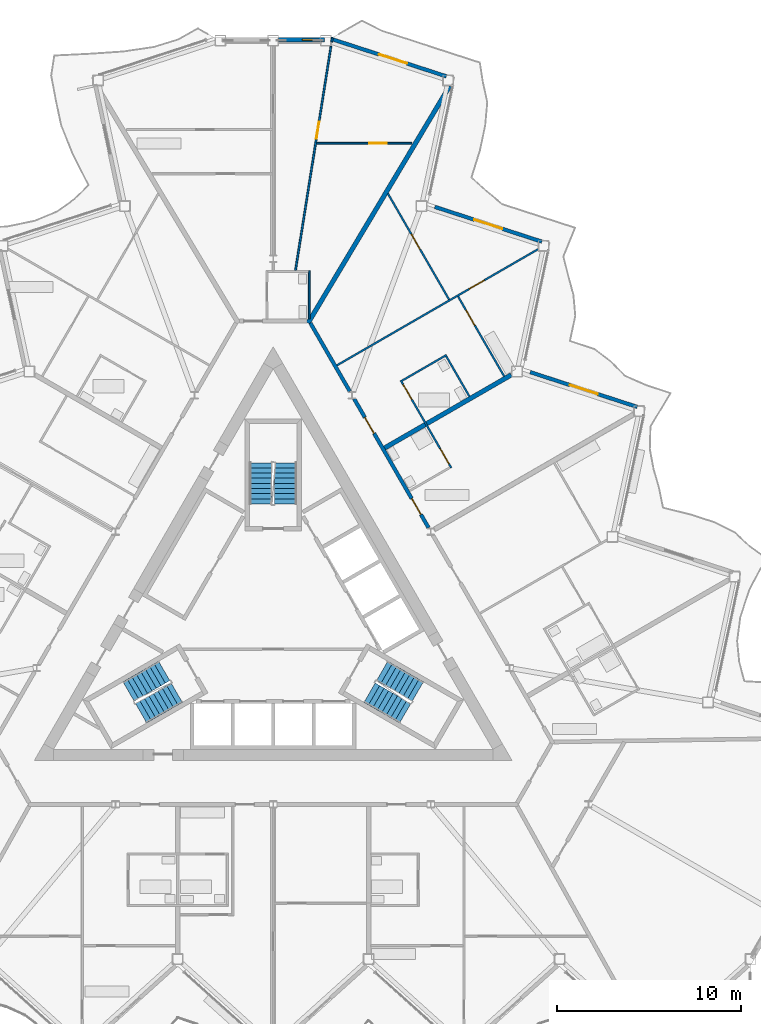
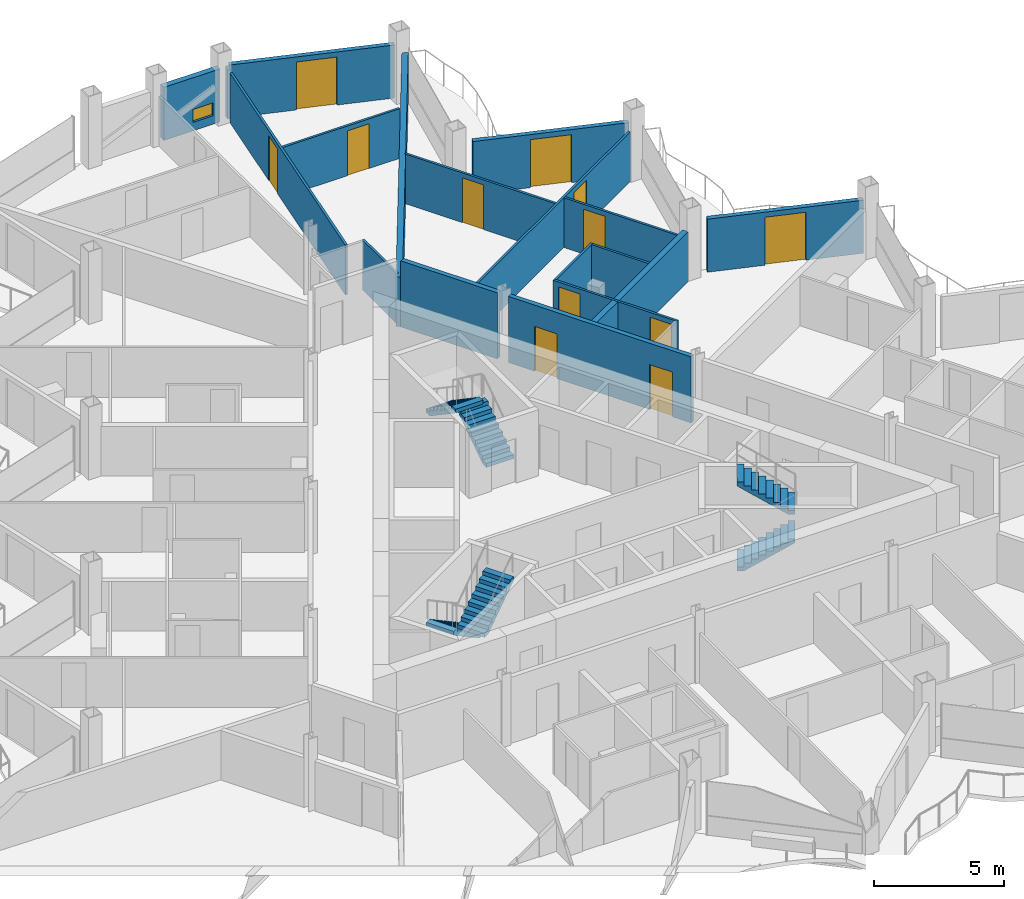
# One storey, part 18 of 26: 18 walls, 12 doors, 6 stair flights, 1 window, 13 openings, 3 elements without a shape of their own.
"""IFC4 building model written with IfcOpenShell, lengths in metres."""

from ifc_helpers import new_model, si_unit, direction, frame, frame_2d, origin, place, context, subcontext, project, spatial, polyline, rectangle, outline, extrude, material, layer, layer_set, type_object, element, fill, aggregate, save


model = new_model("IFC4")

# Units and contexts
model_context = context("Model", 3, precision=1e-05, world=origin(), true_north=direction((0.0, 1.0)))
body_context = subcontext(model_context, "Body", "Model", "MODEL_VIEW")
ifc_project = project(units=[si_unit("LENGTHUNIT", "METRE"), si_unit("AREAUNIT", "SQUARE_METRE"), si_unit("VOLUMEUNIT", "CUBIC_METRE"), si_unit("PLANEANGLEUNIT", "RADIAN"), si_unit("MASSUNIT", "GRAM", prefix="KILO")], contexts=[model_context])

# Site, building, storey
site_placement = place(None, origin())
site = spatial("IfcSite", under=ifc_project, at=site_placement, CompositionType="ELEMENT")
building_placement = place(site_placement, origin())
building = spatial("IfcBuilding", under=site, at=building_placement, Name="Cormorant Prow Tower", CompositionType="ELEMENT")
storey_placement = place(building_placement, frame((0.0, 0.0, 329.0)))
storey = spatial("IfcBuildingStorey", under=building, at=storey_placement, Name="L73", CompositionType="ELEMENT", Elevation=329.0)

# Wall, openings, doors
ifc_material_1 = material(Name="Gypsum board corridor wall")
ifc_layer_1 = layer(ifc_material_1, 0.199951171875)
ifc_layer_set_1 = layer_set([ifc_layer_1], Name="Gypsum board corridor wall")
wall_type_1 = type_object("IfcWallType", Name="Corridor wall 200", PredefinedType="PARTITIONING", material=ifc_layer_set_1)
wall_1_placement = place(storey_placement, frame((4.4091796875, 12.17431640625, 0.0), z_axis=(0.0, 0.0, 1.0), x_axis=(0.499984266882, -0.866034487114, 0.0)))
wall_1 = element("IfcWall", 1, at=wall_1_placement, inside=storey, type_object=wall_type_1, Name="Corridor wall", PredefinedType="PARTITIONING", context=body_context, shape_type="SweptSolid", body=[
    extrude(rectangle(XDim=8.098876953125, YDim=0.199951171875, at=frame_2d((4.04931640625, 0.0))), origin(), (0.0, 0.0, 1.0), 3.10009765625),
])
opening_1_placement = place(wall_1_placement, frame((6.268798828125, 0.0, 0.0)))
opening_1 = element("IfcOpeningElement", 2, at=opening_1_placement, cuts=wall_1, Name="Opening L73-F25", PredefinedType="OPENING", context=body_context, shape_type="SweptSolid", body=[
    extrude(rectangle(XDim=1.0, YDim=2.10009765625, at=frame_2d((0.5, 1.050048828125))), frame((0.0, 0.10986328125, 0.0), z_axis=(0.0, -1.0, 0.0), x_axis=(1.0, 0.0, 0.0)), (0.0, 0.0, 1.0), 0.219970703125),
])
opening_2_placement = place(wall_1_placement, frame((1.16357421875, 0.0, 0.0)))
opening_2 = element("IfcOpeningElement", 3, at=opening_2_placement, cuts=wall_1, Name="Opening L73-F27", PredefinedType="OPENING", context=body_context, shape_type="SweptSolid", body=[
    extrude(rectangle(XDim=1.0, YDim=2.10009765625, at=frame_2d((0.5, 1.050048828125))), frame((0.0, 0.10986328125, 0.0), z_axis=(0.0, -1.0, 0.0), x_axis=(1.0, 0.0, 0.0)), (0.0, 0.0, 1.0), 0.219970703125),
])
ifc_material_2 = material(Name="Timber door leaf", Category="wood")
door_type_1 = type_object("IfcDoorType", Name="Flat or room entrance door 1000x2100", OperationType="NOTDEFINED", PredefinedType="DOOR", material=ifc_material_2)
door_1_placement = place(opening_1_placement, origin())
door_1 = element("IfcDoor", 4, at=door_1_placement, inside=storey, type_object=door_type_1, Name="Studio living, kitchen and sleeping room door", OperationType="SINGLE_SWING_LEFT", OverallHeight=2.10009765625, OverallWidth=1.0, PredefinedType="DOOR", context=body_context, shape_type="SweptSolid", body=[
    extrude(rectangle(XDim=1.0, YDim=2.10009765625, at=frame_2d((0.5, 1.050048828125))), frame((0.0, 0.02490234375, 0.0), z_axis=(0.0, -1.0, 0.0), x_axis=(1.0, 0.0, 0.0)), (0.0, 0.0, 1.0), 0.050048828125),
])
fill(opening_1, door_1)
door_2_placement = place(opening_2_placement, origin())
door_2 = element("IfcDoor", 5, at=door_2_placement, inside=storey, type_object=door_type_1, Name="Living room door", OperationType="SINGLE_SWING_RIGHT", OverallHeight=2.10009765625, OverallWidth=1.0, PredefinedType="DOOR", context=body_context, shape_type="SweptSolid", body=[
    extrude(rectangle(XDim=1.0, YDim=2.10009765625, at=frame_2d((0.5, 1.050048828125))), frame((0.0, 0.02490234375, 0.0), z_axis=(0.0, -1.0, 0.0), x_axis=(1.0, 0.0, 0.0)), (0.0, 0.0, 1.0), 0.050048828125),
])
fill(opening_2, door_2)

# Wall
wall_2_placement = place(storey_placement, frame((2.025390625, 16.302978515625, 0.0), z_axis=(0.0, 0.0, 1.0), x_axis=(0.499978750566, -0.866037671803, 0.0)))
element("IfcWall", 6, at=wall_2_placement, inside=storey, type_object=wall_type_1, Name="Corridor wall", PredefinedType="PARTITIONING", context=body_context, shape_type="SweptSolid", body=[
    extrude(rectangle(XDim=4.287841796875, YDim=0.199951171875, at=frame_2d((2.14404296875, 0.0))), origin(), (0.0, 0.0, 1.0), 3.10009765625),
])

# Wall, opening, door
ifc_material_3 = material(Name="Gypsum board partition")
ifc_layer_2 = layer(ifc_material_3, 0.10009765625)
ifc_layer_set_2 = layer_set([ifc_layer_2], Name="Gypsum board partition")
wall_type_2 = type_object("IfcWallType", Name="Internal partition 100", PredefinedType="PARTITIONING", material=ifc_layer_set_2)
wall_3_placement = place(storey_placement, frame((3.470458984375, 14.000244140625, 0.0), z_axis=(0.0, 0.0, 1.0), x_axis=(0.866021216079, 0.500007253249, 0.0)))
wall_3 = element("IfcWall", 7, at=wall_3_placement, inside=storey, type_object=wall_type_2, Name="Internal partition", PredefinedType="PARTITIONING", context=body_context, shape_type="SweptSolid", body=[
    extrude(rectangle(XDim=12.639404296875, YDim=0.10009765625, at=frame_2d((6.31982421875, 0.0))), origin(), (0.0, 0.0, 1.0), 2.330078125),
])
opening_3_placement = place(wall_3_placement, frame((8.314453125, 0.0, 0.0)))
opening_3 = element("IfcOpeningElement", 8, at=opening_3_placement, cuts=wall_3, Name="Opening L73-F30", PredefinedType="OPENING", context=body_context, shape_type="SweptSolid", body=[
    extrude(rectangle(XDim=0.949951171875, YDim=2.10009765625, at=frame_2d((0.47509765625, 1.050048828125))), frame((0.0, 0.06005859375, 0.0), z_axis=(0.0, -1.0, 0.0), x_axis=(1.0, 0.0, 0.0)), (0.0, 0.0, 1.0), 0.1201171875),
])
ifc_material_4 = material(Name="Timber door leaf", Category="wood")
door_type_2 = type_object("IfcDoorType", Name="Bathroom door 950x2100", OperationType="NOTDEFINED", PredefinedType="DOOR", material=ifc_material_4)
door_3_placement = place(opening_3_placement, origin())
door_3 = element("IfcDoor", 9, at=door_3_placement, inside=storey, type_object=door_type_2, Name="Kitchen door", OperationType="SINGLE_SWING_LEFT", OverallHeight=2.10009765625, OverallWidth=0.949951171875, PredefinedType="DOOR", context=body_context, shape_type="SweptSolid", body=[
    extrude(rectangle(XDim=0.949951171875, YDim=2.10009765625, at=frame_2d((0.47509765625, 1.050048828125))), frame((0.0, 0.02490234375, 0.0), z_axis=(0.0, -1.0, 0.0), x_axis=(1.0, 0.0, 0.0)), (0.0, 0.0, 1.0), 0.050048828125),
])
fill(opening_3, door_3)

wall_4_placement = place(storey_placement, frame((1.21337890625, 19.160400390625, 0.0), z_axis=(0.0, 0.0, 1.0), x_axis=(0.156426176129, 0.987689653394, 0.0)))
wall_4 = element("IfcWall", 10, at=wall_4_placement, inside=storey, type_object=wall_type_2, Name="Internal partition", PredefinedType="PARTITIONING", context=body_context, shape_type="SweptSolid", body=[
    extrude(rectangle(XDim=12.35791015625, YDim=0.10009765625, at=frame_2d((6.178955078125, 0.0))), origin(), (0.0, 0.0, 1.0), 2.330078125),
])
opening_4_placement = place(wall_4_placement, frame((7.2548828125, 0.0, 0.0)))
opening_4 = element("IfcOpeningElement", 11, at=opening_4_placement, cuts=wall_4, Name="Opening L73-F37", PredefinedType="OPENING", context=body_context, shape_type="SweptSolid", body=[
    extrude(rectangle(XDim=0.949951171875, YDim=2.10009765625, at=frame_2d((0.47509765625, 1.050048828125))), frame((0.0, 0.06005859375, 0.0), z_axis=(0.0, -1.0, 0.0), x_axis=(1.0, 0.0, 0.0)), (0.0, 0.0, 1.0), 0.1201171875),
])
door_4_placement = place(opening_4_placement, origin())
door_4 = element("IfcDoor", 12, at=door_4_placement, inside=storey, type_object=door_type_2, Name="Bedroom door", OperationType="SINGLE_SWING_LEFT", OverallHeight=2.10009765625, OverallWidth=0.949951171875, PredefinedType="DOOR", context=body_context, shape_type="SweptSolid", body=[
    extrude(rectangle(XDim=0.949951171875, YDim=2.10009765625, at=frame_2d((0.47509765625, 1.050048828125))), frame((0.0, 0.02490234375, 0.0), z_axis=(0.0, -1.0, 0.0), x_axis=(1.0, 0.0, 0.0)), (0.0, 0.0, 1.0), 0.050048828125),
])
fill(opening_4, door_4)

wall_5_placement = place(storey_placement, frame((6.2412109375, 23.357421875, 0.0), z_axis=(0.0, 0.0, 1.0), x_axis=(0.499998189891, -0.866026448849, 0.0)))
wall_5 = element("IfcWall", 13, at=wall_5_placement, inside=storey, type_object=wall_type_2, Name="Internal partition", PredefinedType="PARTITIONING", context=body_context, shape_type="SweptSolid", body=[
    extrude(rectangle(XDim=6.66796875, YDim=0.10009765625, at=frame_2d((3.333984375, 0.0))), origin(), (0.0, 0.0, 1.0), 2.330078125),
])
opening_5_placement = place(wall_5_placement, frame((2.557861328125, 0.0, 0.0)))
opening_5 = element("IfcOpeningElement", 14, at=opening_5_placement, cuts=wall_5, Name="Opening L73-F31", PredefinedType="OPENING", context=body_context, shape_type="SweptSolid", body=[
    extrude(rectangle(XDim=0.949951171875, YDim=2.10009765625, at=frame_2d((0.47509765625, 1.050048828125))), frame((0.0, 0.06005859375, 0.0), z_axis=(0.0, -1.0, 0.0), x_axis=(1.0, 0.0, 0.0)), (0.0, 0.0, 1.0), 0.1201171875),
])
door_5_placement = place(opening_5_placement, origin())
door_5 = element("IfcDoor", 15, at=door_5_placement, inside=storey, type_object=door_type_2, Name="Bedroom door", OperationType="SINGLE_SWING_RIGHT", OverallHeight=2.10009765625, OverallWidth=0.949951171875, PredefinedType="DOOR", context=body_context, shape_type="SweptSolid", body=[
    extrude(rectangle(XDim=0.949951171875, YDim=2.10009765625, at=frame_2d((0.47509765625, 1.050048828125))), frame((0.0, 0.02490234375, 0.0), z_axis=(0.0, -1.0, 0.0), x_axis=(1.0, 0.0, 0.0)), (0.0, 0.0, 1.0), 0.050048828125),
])
fill(opening_5, door_5)

# Wall, openings, doors
wall_6_placement = place(storey_placement, frame((6.9443359375, 13.18310546875, 0.0), z_axis=(0.0, 0.0, 1.0), x_axis=(0.499996545922, -0.866027397988, 0.0)))
wall_6 = element("IfcWall", 16, at=wall_6_placement, inside=storey, type_object=wall_type_2, Name="Internal partition", PredefinedType="PARTITIONING", context=body_context, shape_type="SweptSolid", body=[
    extrude(rectangle(XDim=5.5, YDim=0.10009765625, at=frame_2d((2.75, 0.0))), origin(), (0.0, 0.0, 1.0), 2.330078125),
])
opening_6_placement = place(wall_6_placement, frame((4.300048828125, 0.0, 0.0)))
opening_6 = element("IfcOpeningElement", 17, at=opening_6_placement, cuts=wall_6, Name="Opening L73-F26", PredefinedType="OPENING", context=body_context, shape_type="SweptSolid", body=[
    extrude(rectangle(XDim=0.949951171875, YDim=2.10009765625, at=frame_2d((0.47509765625, 1.050048828125))), frame((0.0, 0.06005859375, 0.0), z_axis=(0.0, -1.0, 0.0), x_axis=(1.0, 0.0, 0.0)), (0.0, 0.0, 1.0), 0.1201171875),
])
opening_7_placement = place(wall_6_placement, frame((0.25, 0.0, 0.0)))
opening_7 = element("IfcOpeningElement", 18, at=opening_7_placement, cuts=wall_6, Name="Opening L73-F28", PredefinedType="OPENING", context=body_context, shape_type="SweptSolid", body=[
    extrude(rectangle(XDim=0.949951171875, YDim=2.10009765625, at=frame_2d((0.47509765625, 1.050048828125))), frame((0.0, 0.06005859375, 0.0), z_axis=(0.0, -1.0, 0.0), x_axis=(1.0, 0.0, 0.0)), (0.0, 0.0, 1.0), 0.1201171875),
])
door_6_placement = place(opening_6_placement, origin())
door_6 = element("IfcDoor", 19, at=door_6_placement, inside=storey, type_object=door_type_2, Name="Studio living, kitchen and sleeping room door", OperationType="SINGLE_SWING_RIGHT", OverallHeight=2.10009765625, OverallWidth=0.949951171875, PredefinedType="DOOR", context=body_context, shape_type="SweptSolid", body=[
    extrude(rectangle(XDim=0.949951171875, YDim=2.10009765625, at=frame_2d((0.47509765625, 1.050048828125))), frame((0.0, 0.02490234375, 0.0), z_axis=(0.0, -1.0, 0.0), x_axis=(1.0, 0.0, 0.0)), (0.0, 0.0, 1.0), 0.050048828125),
])
fill(opening_6, door_6)
door_7_placement = place(opening_7_placement, origin())
door_7 = element("IfcDoor", 20, at=door_7_placement, inside=storey, type_object=door_type_2, Name="Living room door", OperationType="SINGLE_SWING_LEFT", OverallHeight=2.10009765625, OverallWidth=0.949951171875, PredefinedType="DOOR", context=body_context, shape_type="SweptSolid", body=[
    extrude(rectangle(XDim=0.949951171875, YDim=2.10009765625, at=frame_2d((0.47509765625, 1.050048828125))), frame((0.0, 0.02490234375, 0.0), z_axis=(0.0, -1.0, 0.0), x_axis=(1.0, 0.0, 0.0)), (0.0, 0.0, 1.0), 0.050048828125),
])
fill(opening_7, door_7)

# Wall, opening, door
wall_7_placement = place(storey_placement, frame((2.36083984375, 26.090087890625, 0.0), z_axis=(0.0, 0.0, 1.0), x_axis=(1.0, 0.0, 0.0)))
wall_7 = element("IfcWall", 21, at=wall_7_placement, inside=storey, type_object=wall_type_2, Name="Internal partition", PredefinedType="PARTITIONING", context=body_context, shape_type="SweptSolid", body=[
    extrude(rectangle(XDim=5.190185546875, YDim=0.10009765625, at=frame_2d((2.59521484375, 0.0))), origin(), (0.0, 0.0, 1.0), 2.330078125),
])
opening_8_placement = place(wall_7_placement, frame((2.878173828125, 0.0, 0.0)))
opening_8 = element("IfcOpeningElement", 22, at=opening_8_placement, cuts=wall_7, Name="Opening L73-F38", PredefinedType="OPENING", context=body_context, shape_type="SweptSolid", body=[
    extrude(rectangle(XDim=0.949951171875, YDim=2.10009765625, at=frame_2d((0.47509765625, 1.050048828125))), frame((0.0, 0.06005859375, 0.0), z_axis=(0.0, -1.0, 0.0), x_axis=(1.0, 0.0, 0.0)), (0.0, 0.0, 1.0), 0.1201171875),
])
door_8_placement = place(opening_8_placement, origin())
door_8 = element("IfcDoor", 23, at=door_8_placement, inside=storey, type_object=door_type_2, Name="Bedroom door", OperationType="SINGLE_SWING_RIGHT", OverallHeight=2.10009765625, OverallWidth=0.949951171875, PredefinedType="DOOR", context=body_context, shape_type="SweptSolid", body=[
    extrude(rectangle(XDim=0.949951171875, YDim=2.10009765625, at=frame_2d((0.47509765625, 1.050048828125))), frame((0.0, 0.02490234375, 0.0), z_axis=(0.0, -1.0, 0.0), x_axis=(1.0, 0.0, 0.0)), (0.0, 0.0, 1.0), 0.050048828125),
])
fill(opening_8, door_8)

wall_8_placement = place(storey_placement, frame((10.065185546875, 17.75, 0.0), z_axis=(0.0, 0.0, 1.0), x_axis=(0.499989096993, -0.866031698547, 0.0)))
wall_8 = element("IfcWall", 24, at=wall_8_placement, inside=storey, type_object=wall_type_2, Name="Internal partition", PredefinedType="PARTITIONING", context=body_context, shape_type="SweptSolid", body=[
    extrude(rectangle(XDim=5.01953125, YDim=0.10009765625, at=frame_2d((2.509765625, 0.0))), origin(), (0.0, 0.0, 1.0), 2.330078125),
])
opening_9_placement = place(wall_8_placement, frame((0.862060546875, 0.0, 0.0)))
opening_9 = element("IfcOpeningElement", 25, at=opening_9_placement, cuts=wall_8, Name="Opening L73-F29", PredefinedType="OPENING", context=body_context, shape_type="SweptSolid", body=[
    extrude(rectangle(XDim=0.949951171875, YDim=2.10009765625, at=frame_2d((0.47509765625, 1.050048828125))), frame((0.0, 0.06005859375, 0.0), z_axis=(0.0, -1.0, 0.0), x_axis=(1.0, 0.0, 0.0)), (0.0, 0.0, 1.0), 0.1201171875),
])
door_9_placement = place(opening_9_placement, origin())
door_9 = element("IfcDoor", 26, at=door_9_placement, inside=storey, type_object=door_type_2, Name="Living room door", OperationType="SINGLE_SWING_LEFT", OverallHeight=2.10009765625, OverallWidth=0.949951171875, PredefinedType="DOOR", context=body_context, shape_type="SweptSolid", body=[
    extrude(rectangle(XDim=0.949951171875, YDim=2.10009765625, at=frame_2d((0.47509765625, 1.050048828125))), frame((0.0, 0.02490234375, 0.0), z_axis=(0.0, -1.0, 0.0), x_axis=(1.0, 0.0, 0.0)), (0.0, 0.0, 1.0), 0.050048828125),
])
fill(opening_9, door_9)

# Walls
wall_9_placement = place(storey_placement, frame((7.0126953125, 13.164794921875, 0.0), z_axis=(0.0, 0.0, 1.0), x_axis=(0.866034573852, 0.49998411664, 0.0)))
element("IfcWall", 27, at=wall_9_placement, inside=storey, type_object=wall_type_2, Name="Internal partition", PredefinedType="PARTITIONING", context=body_context, shape_type="SweptSolid", body=[
    extrude(rectangle(XDim=2.7998046875, YDim=0.10009765625, at=frame_2d((1.39990234375, 0.0))), origin(), (0.0, 0.0, 1.0), 2.330078125),
])
wall_10_placement = place(storey_placement, frame((1.962890625, 16.5361328125, 0.0), z_axis=(0.0, 0.0, 1.0), x_axis=(0.0, 1.0, 0.0)))
element("IfcWall", 28, at=wall_10_placement, inside=storey, type_object=wall_type_2, Name="Internal partition", PredefinedType="PARTITIONING", context=body_context, shape_type="SweptSolid", body=[
    extrude(rectangle(XDim=2.625, YDim=0.10009765625, at=frame_2d((1.3125, 0.0))), origin(), (0.0, 0.0, 1.0), 2.330078125),
])
wall_11_placement = place(storey_placement, frame((9.419189453125, 14.49658203125, 0.0), z_axis=(0.0, 0.0, 1.0), x_axis=(0.499976333282, -0.866039067339, 0.0)))
element("IfcWall", 29, at=wall_11_placement, inside=storey, type_object=wall_type_2, Name="Internal partition", PredefinedType="PARTITIONING", context=body_context, shape_type="SweptSolid", body=[
    extrude(rectangle(XDim=2.52490234375, YDim=0.10009765625, at=frame_2d((1.262451171875, 0.0))), origin(), (0.0, 0.0, 1.0), 2.330078125),
])
wall_12_placement = place(storey_placement, frame((3.183837890625, 31.601318359375, 0.0), z_axis=(0.0, 0.0, 1.0), x_axis=(0.156307264128, 0.987708478844, 0.0)))
element("IfcWall", 30, at=wall_12_placement, inside=storey, type_object=wall_type_2, Name="Internal partition", PredefinedType="PARTITIONING", context=body_context, shape_type="SweptSolid", body=[
    extrude(rectangle(XDim=0.254638671875, YDim=0.10009765625, at=frame_2d((0.12744140625, 0.0))), origin(), (0.0, 0.0, 1.0), 2.330078125),
])
ifc_material_5 = material(Name="Acoustic gypsum party wall")
ifc_layer_3 = layer(ifc_material_5, 0.25)
ifc_layer_set_3 = layer_set([ifc_layer_3], Name="Acoustic gypsum party wall")
wall_type_3 = type_object("IfcWallType", Name="Suite party wall 250", PredefinedType="PARTITIONING", material=ifc_layer_set_3)
wall_13_placement = place(storey_placement, frame((1.89892578125, 16.3037109375, 0.0), z_axis=(0.0, 0.0, 1.0), x_axis=(0.512977925681, 0.858401798556, 0.0)))
element("IfcWall", 31, at=wall_13_placement, inside=storey, type_object=wall_type_3, Name="Suite party wall", PredefinedType="PARTITIONING", context=body_context, shape_type="SweptSolid", body=[
    extrude(rectangle(XDim=15.0283203125, YDim=0.25, at=frame_2d((7.51416015625, 0.0))), origin(), (0.0, 0.0, 1.0), 2.330078125),
])
wall_14_placement = place(storey_placement, frame((6.067626953125, 9.50146484375, 0.0), z_axis=(0.0, 0.0, 1.0), x_axis=(0.866022671543, 0.50000473235, 0.0)))
element("IfcWall", 32, at=wall_14_placement, inside=storey, type_object=wall_type_3, Name="Suite party wall", PredefinedType="PARTITIONING", context=body_context, shape_type="SweptSolid", body=[
    extrude(rectangle(XDim=7.9609375, YDim=0.25, at=frame_2d((3.98046875, 0.0))), origin(), (0.0, 0.0, 1.0), 2.330078125),
])

# Wall, opening, window
ifc_material_6 = material(Name="Terracotta", Category="masonry")
ifc_layer_4 = layer(ifc_material_6, 0.25)
ifc_layer_set_4 = layer_set([ifc_layer_4], Name="Terracotta")
wall_type_4 = type_object("IfcWallType", Name="Terracotta bay wall 250", PredefinedType="SOLIDWALL", material=ifc_layer_set_4)
wall_15_placement = place(storey_placement, frame((2.78955078125, 31.727783203125, 0.0), z_axis=(0.0, 0.0, 1.0), x_axis=(-1.0, 0.0, 0.0)))
wall_15 = element("IfcWall", 33, at=wall_15_placement, inside=storey, type_object=wall_type_4, Name="Terracotta bay wall N00", PredefinedType="SOLIDWALL", context=body_context, shape_type="SweptSolid", body=[
    extrude(rectangle(XDim=2.489501953125, YDim=0.25, at=frame_2d((1.24462890625, 0.0))), origin(), (0.0, 0.0, 1.0), 2.48779296875),
])
opening_10_placement = place(wall_15_placement, frame((0.300048828125, 0.0, 0.39990234375)))
opening_10 = element("IfcOpeningElement", 34, at=opening_10_placement, cuts=wall_15, Name="Opening WN7", PredefinedType="OPENING", context=body_context, shape_type="SweptSolid", body=[
    extrude(rectangle(XDim=0.89990234375, YDim=0.60009765625, at=frame_2d((0.449951171875, 0.300048828125))), frame((0.0, 0.135009765625, 0.0), z_axis=(0.0, -1.0, 0.0), x_axis=(1.0, 0.0, 0.0)), (0.0, 0.0, 1.0), 0.27001953125),
])
ifc_material_7 = material(Name="Aluminium 6063-T6", Category="aluminium")
window_type = type_object("IfcWindowType", Name="Corner bay window 900x600", PartitioningType="SINGLE_PANEL", PredefinedType="WINDOW", material=ifc_material_7)
window_placement = place(opening_10_placement, origin())
window = element("IfcWindow", 35, at=window_placement, inside=storey, type_object=window_type, Name="Corner bay window N00", OverallHeight=0.60009765625, OverallWidth=0.89990234375, PartitioningType="SINGLE_PANEL", PredefinedType="WINDOW", context=body_context, shape_type="SweptSolid", body=[
    extrude(rectangle(XDim=0.89990234375, YDim=0.60009765625, at=frame_2d((0.449951171875, 0.300048828125))), frame((0.0, 0.030029296875, 0.0), z_axis=(0.0, -1.0, 0.0), x_axis=(1.0, 0.0, 0.0)), (0.0, 0.0, 1.0), 0.06005859375),
])
fill(opening_10, window)

# Wall, opening, door
ifc_material_8 = material(Name="Terracotta", Category="masonry")
ifc_layer_5 = layer(ifc_material_8, 0.199951171875)
ifc_layer_set_5 = layer_set([ifc_layer_5], Name="Terracotta")
wall_type_5 = type_object("IfcWallType", Name="Terracotta jamb wall 200", PredefinedType="SOLIDWALL", material=ifc_layer_set_5)
wall_16_placement = place(storey_placement, frame((19.8173828125, 11.73681640625, 0.0), z_axis=(0.0, 0.0, 1.0), x_axis=(-0.951056631566, 0.309016639608, 0.0)))
wall_16 = element("IfcWall", 36, at=wall_16_placement, inside=storey, type_object=wall_type_5, Name="Terracotta jamb wall ENE05", PredefinedType="SOLIDWALL", context=body_context, shape_type="SweptSolid", body=[
    extrude(rectangle(XDim=6.1220703125, YDim=0.199951171875, at=frame_2d((3.06103515625, 0.0))), origin(), (0.0, 0.0, 1.0), 2.48779296875),
])
opening_11_placement = place(wall_16_placement, frame((2.260986328125, 0.0, 0.0)))
opening_11 = element("IfcOpeningElement", 37, at=opening_11_placement, cuts=wall_16, Name="Opening ED73.08", PredefinedType="OPENING", context=body_context, shape_type="SweptSolid", body=[
    extrude(rectangle(XDim=1.60009765625, YDim=2.25, at=frame_2d((0.800048828125, 1.125))), frame((0.0, 0.10986328125, 0.0), z_axis=(0.0, -1.0, 0.0), x_axis=(1.0, 0.0, 0.0)), (0.0, 0.0, 1.0), 0.219970703125),
])
ifc_material_9 = material(Name="Aluminium 6063-T6", Category="aluminium")
door_type_3 = type_object("IfcDoorType", Name="Balcony door 1600x2250", OperationType="DOUBLE_DOOR_SINGLE_SWING", PredefinedType="DOOR", material=ifc_material_9)
door_10_placement = place(opening_11_placement, origin())
door_10 = element("IfcDoor", 38, at=door_10_placement, inside=storey, type_object=door_type_3, Name="Balcony door ENE05 ED73.08", OperationType="DOUBLE_DOOR_SINGLE_SWING", OverallHeight=2.25, OverallWidth=1.60009765625, PredefinedType="DOOR", context=body_context, shape_type="SweptSolid", body=[
    extrude(rectangle(XDim=1.60009765625, YDim=2.25, at=frame_2d((0.800048828125, 1.125))), frame((0.0, 0.02490234375, 0.0), z_axis=(0.0, -1.0, 0.0), x_axis=(1.0, 0.0, 0.0)), (0.0, 0.0, 1.0), 0.050048828125),
])
fill(opening_11, door_10)

wall_17_placement = place(storey_placement, frame((14.622802734375, 20.734130859375, 0.0), z_axis=(0.0, 0.0, 1.0), x_axis=(-0.951056631566, 0.309016639608, 0.0)))
wall_17 = element("IfcWall", 39, at=wall_17_placement, inside=storey, type_object=wall_type_5, Name="Terracotta jamb wall ENE07", PredefinedType="SOLIDWALL", context=body_context, shape_type="SweptSolid", body=[
    extrude(rectangle(XDim=6.1220703125, YDim=0.199951171875, at=frame_2d((3.06103515625, 0.0))), origin(), (0.0, 0.0, 1.0), 2.48779296875),
])
opening_12_placement = place(wall_17_placement, frame((2.260986328125, 0.0, 0.0)))
opening_12 = element("IfcOpeningElement", 40, at=opening_12_placement, cuts=wall_17, Name="Opening ED73.09", PredefinedType="OPENING", context=body_context, shape_type="SweptSolid", body=[
    extrude(rectangle(XDim=1.60009765625, YDim=2.25, at=frame_2d((0.800048828125, 1.125))), frame((0.0, 0.10986328125, 0.0), z_axis=(0.0, -1.0, 0.0), x_axis=(1.0, 0.0, 0.0)), (0.0, 0.0, 1.0), 0.219970703125),
])
door_11_placement = place(opening_12_placement, origin())
door_11 = element("IfcDoor", 41, at=door_11_placement, inside=storey, type_object=door_type_3, Name="Balcony door ENE07 ED73.09", OperationType="DOUBLE_DOOR_SINGLE_SWING", OverallHeight=2.25, OverallWidth=1.60009765625, PredefinedType="DOOR", context=body_context, shape_type="SweptSolid", body=[
    extrude(rectangle(XDim=1.60009765625, YDim=2.25, at=frame_2d((0.800048828125, 1.125))), frame((0.0, 0.02490234375, 0.0), z_axis=(0.0, -1.0, 0.0), x_axis=(1.0, 0.0, 0.0)), (0.0, 0.0, 1.0), 0.050048828125),
])
fill(opening_12, door_11)

wall_18_placement = place(storey_placement, frame((9.427978515625, 29.731689453125, 0.0), z_axis=(0.0, 0.0, 1.0), x_axis=(-0.951057057516, 0.309015328664, 0.0)))
wall_18 = element("IfcWall", 42, at=wall_18_placement, inside=storey, type_object=wall_type_5, Name="Terracotta jamb wall ENE09", PredefinedType="SOLIDWALL", context=body_context, shape_type="SweptSolid", body=[
    extrude(rectangle(XDim=6.476806640625, YDim=0.199951171875, at=frame_2d((3.23828125, 0.0))), origin(), (0.0, 0.0, 1.0), 2.48779296875),
])
opening_13_placement = place(wall_18_placement, frame((2.260986328125, 0.0, 0.0)))
opening_13 = element("IfcOpeningElement", 43, at=opening_13_placement, cuts=wall_18, Name="Opening ED73.10", PredefinedType="OPENING", context=body_context, shape_type="SweptSolid", body=[
    extrude(rectangle(XDim=1.60009765625, YDim=2.25, at=frame_2d((0.800048828125, 1.125))), frame((0.0, 0.10986328125, 0.0), z_axis=(0.0, -1.0, 0.0), x_axis=(1.0, 0.0, 0.0)), (0.0, 0.0, 1.0), 0.219970703125),
])
door_12_placement = place(opening_13_placement, origin())
door_12 = element("IfcDoor", 44, at=door_12_placement, inside=storey, type_object=door_type_3, Name="Balcony door ENE09 ED73.10", OperationType="DOUBLE_DOOR_SINGLE_SWING", OverallHeight=2.25, OverallWidth=1.60009765625, PredefinedType="DOOR", context=body_context, shape_type="SweptSolid", body=[
    extrude(rectangle(XDim=1.60009765625, YDim=2.25, at=frame_2d((0.800048828125, 1.125))), frame((0.0, 0.02490234375, 0.0), z_axis=(0.0, -1.0, 0.0), x_axis=(1.0, 0.0, 0.0)), (0.0, 0.0, 1.0), 0.050048828125),
])
fill(opening_13, door_12)

# Stair, stair flights
ifc_material_10 = material(Name="Exit stair 18 risers")
stair_type = type_object("IfcStairType", Name="Exit stair 18 risers", PredefinedType="HALF_TURN_STAIR", material=ifc_material_10)
stair_1_placement = place(storey_placement, origin())
stair_1 = element("IfcStair", 45, at=stair_1_placement, inside=storey, type_object=stair_type, Name="L73 Exit stair ST1", PredefinedType="HALF_TURN_STAIR")
ifc_material_11 = material(Name="Concrete 5000 psi", Category="concrete")
stair_flight_type = type_object("IfcStairFlightType", Name="Stair flight 1219", PredefinedType="STRAIGHT", material=ifc_material_11)
stair_flight_1_placement = place(storey_placement, frame((-5.93310546875, -2.635009765625, 0.0), z_axis=(0.0, 0.0, 1.0), x_axis=(-0.866025403784, -0.5, 0.0)))
stair_flight_1 = element("IfcStairFlight", 46, at=stair_flight_1_placement, type_object=stair_flight_type, Name="ST1 flight 1", NumberOfRisers=9, NumberOfTreads=8, PredefinedType="STRAIGHT", RiserHeight=0.188888889, TreadLength=0.28, context=body_context, shape_type="SweptSolid", body=[
    extrude(outline(polyline([(0.0, 0.0), (0.0, 0.18896484375), (0.280029296875, 0.18896484375), (0.280029296875, 0.377685546875), (0.56005859375, 0.377685546875), (0.56005859375, 0.566650390625), (0.840087890625, 0.566650390625), (0.840087890625, 0.755615234375), (1.1201171875, 0.755615234375), (1.1201171875, 0.9443359375), (1.39990234375, 0.9443359375), (1.39990234375, 1.13330078125), (1.679931640625, 1.13330078125), (1.679931640625, 1.322265625), (1.9599609375, 1.322265625), (1.9599609375, 1.51123046875), (2.239990234375, 1.51123046875), (2.239990234375, 1.699951171875), (2.239990234375, 1.330322265625), (0.26806640625, 0.0), (0.0, 0.0)])), frame((0.0, 0.609375, 0.0), z_axis=(0.0, -1.0, 0.0), x_axis=(1.0, 0.0, 0.0)), (0.0, 0.0, 1.0), 1.218994140625),
])
stair_flight_2_placement = place(storey_placement, frame((-7.1884765625, -4.940673828125, 1.699951171875), z_axis=(0.0, 0.0, 1.0), x_axis=(0.866025403784, 0.5, 0.0)))
stair_flight_2 = element("IfcStairFlight", 47, at=stair_flight_2_placement, type_object=stair_flight_type, Name="ST1 flight 2", NumberOfRisers=9, NumberOfTreads=8, PredefinedType="STRAIGHT", RiserHeight=0.188888889, TreadLength=0.28, context=body_context, shape_type="SweptSolid", body=[
    extrude(outline(polyline([(0.0, 0.0), (0.0, 0.18896484375), (0.280029296875, 0.18896484375), (0.280029296875, 0.377685546875), (0.56005859375, 0.377685546875), (0.56005859375, 0.566650390625), (0.840087890625, 0.566650390625), (0.840087890625, 0.755615234375), (1.1201171875, 0.755615234375), (1.1201171875, 0.9443359375), (1.39990234375, 0.9443359375), (1.39990234375, 1.13330078125), (1.679931640625, 1.13330078125), (1.679931640625, 1.322265625), (1.9599609375, 1.322265625), (1.9599609375, 1.51123046875), (2.239990234375, 1.51123046875), (2.239990234375, 1.699951171875), (2.239990234375, 1.330322265625), (0.26806640625, 0.0), (0.0, 0.0)])), frame((0.0, 0.609375, 0.0), z_axis=(0.0, -1.0, 0.0), x_axis=(1.0, 0.0, 0.0)), (0.0, 0.0, 1.0), 1.218994140625),
])
aggregate(stair_1, [stair_flight_1, stair_flight_2])

stair_2_placement = place(storey_placement, origin())
stair_2 = element("IfcStair", 48, at=stair_2_placement, inside=storey, type_object=stair_type, Name="L73 Exit stair ST2", PredefinedType="HALF_TURN_STAIR")
stair_flight_3_placement = place(storey_placement, frame((5.24853515625, -3.82080078125, 0.0), z_axis=(0.0, 0.0, 1.0), x_axis=(0.866025403784, -0.5, 0.0)))
stair_flight_3 = element("IfcStairFlight", 49, at=stair_flight_3_placement, type_object=stair_flight_type, Name="ST2 flight 1", NumberOfRisers=9, NumberOfTreads=8, PredefinedType="STRAIGHT", RiserHeight=0.188888889, TreadLength=0.28, context=body_context, shape_type="SweptSolid", body=[
    extrude(outline(polyline([(0.0, 0.0), (0.0, 0.18896484375), (0.280029296875, 0.18896484375), (0.280029296875, 0.377685546875), (0.56005859375, 0.377685546875), (0.56005859375, 0.566650390625), (0.840087890625, 0.566650390625), (0.840087890625, 0.755615234375), (1.1201171875, 0.755615234375), (1.1201171875, 0.9443359375), (1.39990234375, 0.9443359375), (1.39990234375, 1.13330078125), (1.679931640625, 1.13330078125), (1.679931640625, 1.322265625), (1.9599609375, 1.322265625), (1.9599609375, 1.51123046875), (2.239990234375, 1.51123046875), (2.239990234375, 1.699951171875), (2.239990234375, 1.330322265625), (0.26806640625, 0.0), (0.0, 0.0)])), frame((0.0, 0.609375, 0.0), z_axis=(0.0, -1.0, 0.0), x_axis=(1.0, 0.0, 0.0)), (0.0, 0.0, 1.0), 1.218994140625),
])
stair_flight_4_placement = place(storey_placement, frame((7.873046875, -3.755126953125, 1.699951171875), z_axis=(0.0, 0.0, 1.0), x_axis=(-0.866025403784, 0.5, 0.0)))
stair_flight_4 = element("IfcStairFlight", 50, at=stair_flight_4_placement, type_object=stair_flight_type, Name="ST2 flight 2", NumberOfRisers=9, NumberOfTreads=8, PredefinedType="STRAIGHT", RiserHeight=0.188888889, TreadLength=0.28, context=body_context, shape_type="SweptSolid", body=[
    extrude(outline(polyline([(0.0, 0.0), (0.0, 0.18896484375), (0.280029296875, 0.18896484375), (0.280029296875, 0.377685546875), (0.56005859375, 0.377685546875), (0.56005859375, 0.566650390625), (0.840087890625, 0.566650390625), (0.840087890625, 0.755615234375), (1.1201171875, 0.755615234375), (1.1201171875, 0.9443359375), (1.39990234375, 0.9443359375), (1.39990234375, 1.13330078125), (1.679931640625, 1.13330078125), (1.679931640625, 1.322265625), (1.9599609375, 1.322265625), (1.9599609375, 1.51123046875), (2.239990234375, 1.51123046875), (2.239990234375, 1.699951171875), (2.239990234375, 1.330322265625), (0.26806640625, 0.0), (0.0, 0.0)])), frame((0.0, 0.609375, 0.0), z_axis=(0.0, -1.0, 0.0), x_axis=(1.0, 0.0, 0.0)), (0.0, 0.0, 1.0), 1.218994140625),
])
aggregate(stair_2, [stair_flight_3, stair_flight_4])

stair_3_placement = place(storey_placement, origin())
stair_3 = element("IfcStair", 51, at=stair_3_placement, inside=storey, type_object=stair_type, Name="L73 Exit stair ST3", PredefinedType="HALF_TURN_STAIR")
stair_flight_5_placement = place(storey_placement, frame((0.6845703125, 6.455810546875, 0.0), z_axis=(0.0, 0.0, 1.0), x_axis=(0.0, 1.0, 0.0)))
stair_flight_5 = element("IfcStairFlight", 52, at=stair_flight_5_placement, type_object=stair_flight_type, Name="ST3 flight 1", NumberOfRisers=9, NumberOfTreads=8, PredefinedType="STRAIGHT", RiserHeight=0.188888889, TreadLength=0.28, context=body_context, shape_type="SweptSolid", body=[
    extrude(outline(polyline([(0.0, 0.0), (0.0, 0.18896484375), (0.280029296875, 0.18896484375), (0.280029296875, 0.377685546875), (0.56005859375, 0.377685546875), (0.56005859375, 0.566650390625), (0.840087890625, 0.566650390625), (0.840087890625, 0.755615234375), (1.1201171875, 0.755615234375), (1.1201171875, 0.9443359375), (1.39990234375, 0.9443359375), (1.39990234375, 1.13330078125), (1.679931640625, 1.13330078125), (1.679931640625, 1.322265625), (1.9599609375, 1.322265625), (1.9599609375, 1.51123046875), (2.239990234375, 1.51123046875), (2.239990234375, 1.699951171875), (2.239990234375, 1.330322265625), (0.26806640625, 0.0), (0.0, 0.0)])), frame((0.0, 0.609375, 0.0), z_axis=(0.0, -1.0, 0.0), x_axis=(1.0, 0.0, 0.0)), (0.0, 0.0, 1.0), 1.218994140625),
])
stair_flight_6_placement = place(storey_placement, frame((-0.6845703125, 8.69580078125, 1.699951171875), z_axis=(0.0, 0.0, 1.0), x_axis=(0.0, -1.0, 0.0)))
stair_flight_6 = element("IfcStairFlight", 53, at=stair_flight_6_placement, type_object=stair_flight_type, Name="ST3 flight 2", NumberOfRisers=9, NumberOfTreads=8, PredefinedType="STRAIGHT", RiserHeight=0.188888889, TreadLength=0.28, context=body_context, shape_type="SweptSolid", body=[
    extrude(outline(polyline([(0.0, 0.0), (0.0, 0.18896484375), (0.280029296875, 0.18896484375), (0.280029296875, 0.377685546875), (0.56005859375, 0.377685546875), (0.56005859375, 0.566650390625), (0.840087890625, 0.566650390625), (0.840087890625, 0.755615234375), (1.1201171875, 0.755615234375), (1.1201171875, 0.9443359375), (1.39990234375, 0.9443359375), (1.39990234375, 1.13330078125), (1.679931640625, 1.13330078125), (1.679931640625, 1.322265625), (1.9599609375, 1.322265625), (1.9599609375, 1.51123046875), (2.239990234375, 1.51123046875), (2.239990234375, 1.699951171875), (2.239990234375, 1.330322265625), (0.26806640625, 0.0), (0.0, 0.0)])), frame((0.0, 0.609375, 0.0), z_axis=(0.0, -1.0, 0.0), x_axis=(1.0, 0.0, 0.0)), (0.0, 0.0, 1.0), 1.218994140625),
])
aggregate(stair_3, [stair_flight_5, stair_flight_6])

save(model, "model.ifc")
